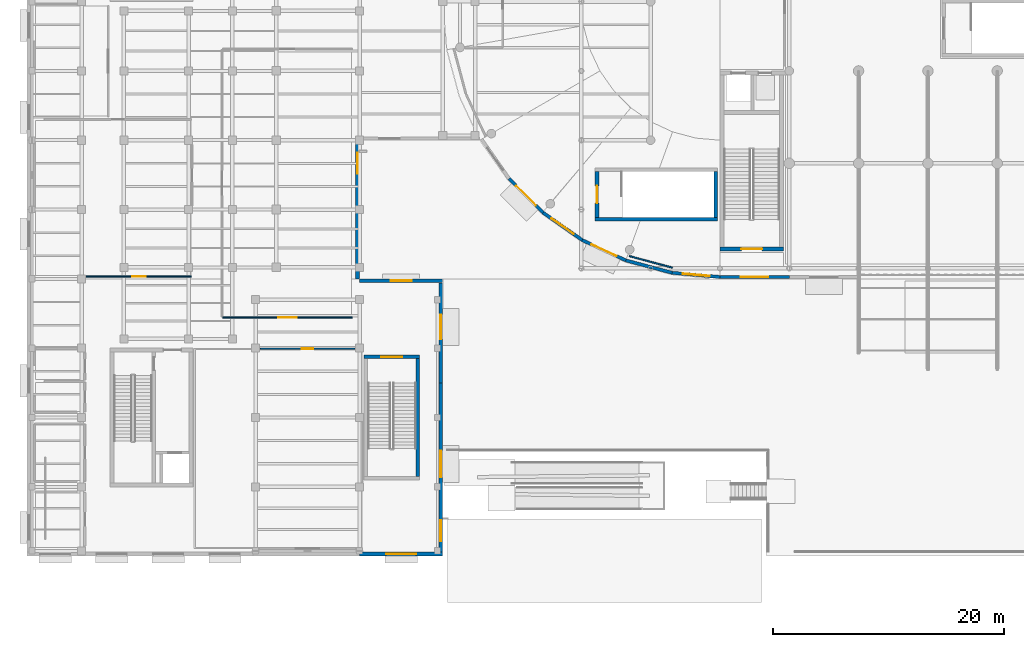
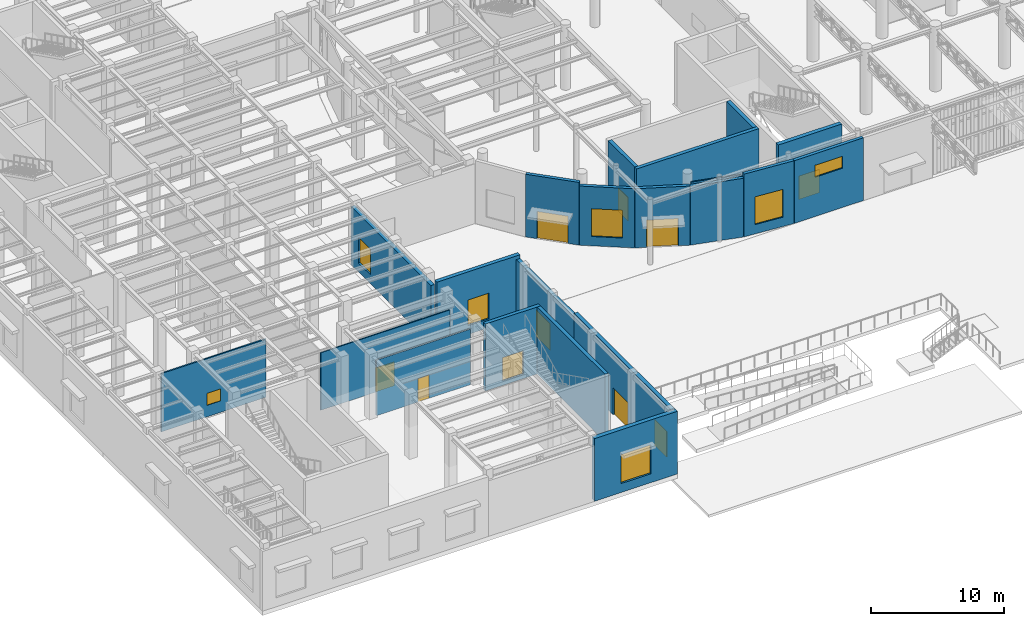
# One storey, part 87 of 118: 21 walls, 9 doors, 8 windows, 17 openings.
"""IFC4 building model written with IfcOpenShell, lengths in metres."""

from ifc_helpers import new_model, si_unit, direction, frame, frame_2d, origin, place, context, subcontext, project, spatial, rectangle, extrude, material, layer, layer_set, type_object, element, fill, save


model = new_model("IFC4")

# Units and contexts
model_context = context("Model", 3, precision=1e-05, world=origin(), true_north=direction((0.0, 1.0)))
body_context = subcontext(model_context, "Body", "Model", "MODEL_VIEW")
ifc_project = project(units=[si_unit("LENGTHUNIT", "METRE"), si_unit("AREAUNIT", "SQUARE_METRE"), si_unit("VOLUMEUNIT", "CUBIC_METRE"), si_unit("PLANEANGLEUNIT", "RADIAN"), si_unit("MASSUNIT", "GRAM", prefix="KILO")], contexts=[model_context])

# Site, building, storey
site_placement = place(None, origin())
site = spatial("IfcSite", under=ifc_project, at=site_placement, CompositionType="ELEMENT")
building_placement = place(site_placement, origin())
building = spatial("IfcBuilding", under=site, at=building_placement, Name="Kolvaren Corner Interchange", CompositionType="ELEMENT")
storey_placement = place(building_placement, origin())
storey = spatial("IfcBuildingStorey", under=building, at=storey_placement, Name="L01", CompositionType="ELEMENT", Elevation=0.0)

# Wall, opening, door
ifc_material_1 = material(Name="Concrete C35/45", Category="concrete")
ifc_layer_1 = layer(ifc_material_1, 0.35009765625)
ifc_layer_set_1 = layer_set([ifc_layer_1], Name="Concrete C35/45")
wall_type_1 = type_object("IfcWallType", Name="WL-CORE-350", PredefinedType="SHEAR", material=ifc_layer_set_1)
wall_1_placement = place(storey_placement, frame((60.0, 26.574951171875, 0.0), z_axis=(0.0, 0.0, 1.0), x_axis=(1.0, 0.0, 0.0)))
wall_1 = element("IfcWall", 1, at=wall_1_placement, inside=storey, type_object=wall_type_1, Name="Core C3 L01 South Shear Wall", PredefinedType="SHEAR", context=body_context, shape_type="SweptSolid", body=[
    extrude(rectangle(XDim=5.5, YDim=0.35009765625, at=frame_2d((2.75, 0.0))), origin(), (0.0, 0.0, 1.0), 5.75),
])
opening_1_placement = place(wall_1_placement, frame((1.85009765625, 0.0, 0.0)))
opening_1 = element("IfcOpeningElement", 2, at=opening_1_placement, cuts=wall_1, Name="Opening D-F01", PredefinedType="OPENING", context=body_context, shape_type="SweptSolid", body=[
    extrude(rectangle(XDim=1.800048828125, YDim=2.14990234375, at=frame_2d((0.89990234375, 1.074951171875))), frame((0.0, 0.18505859375, 0.0), z_axis=(0.0, -1.0, 0.0), x_axis=(1.0, 0.0, 0.0)), (0.0, 0.0, 1.0), 0.3701171875),
])
ifc_material_2 = material(Name="Powder-coated Fire-rated Steel Sheet", Category="steel")
door_type_1 = type_object("IfcDoorType", Name="DT-FD-1800x2150", OperationType="NOTDEFINED", PredefinedType="DOOR", material=ifc_material_2)
door_1_placement = place(opening_1_placement, origin())
door_1 = element("IfcDoor", 3, at=door_1_placement, inside=storey, type_object=door_type_1, Name="Core C3 West Concourse Transfer Stair L01 Protected Exit Door", OperationType="DOUBLE_DOOR_SINGLE_SWING", OverallHeight=2.14990234375, OverallWidth=1.800048828125, PredefinedType="DOOR", context=body_context, shape_type="SweptSolid", body=[
    extrude(rectangle(XDim=1.800048828125, YDim=2.14990234375, at=frame_2d((0.89990234375, 1.074951171875))), frame((0.0, 0.02490234375, 0.0), z_axis=(0.0, -1.0, 0.0), x_axis=(1.0, 0.0, 0.0)), (0.0, 0.0, 1.0), 0.050048828125),
])
fill(opening_1, door_1)

# Wall
ifc_material_3 = material(Name="Concrete C35/45", Category="concrete")
ifc_layer_2 = layer(ifc_material_3, 0.31005859375)
ifc_layer_set_2 = layer_set([ifc_layer_2], Name="Concrete C35/45")
wall_type_2 = type_object("IfcWallType", Name="WL-STAIR-300", PredefinedType="SHEAR", material=ifc_layer_set_2)
wall_2_placement = place(storey_placement, frame((49.199951171875, 29.155029296875, 0.0), z_axis=(0.0, 0.0, 1.0), x_axis=(1.0, 0.0, 0.0)))
element("IfcWall", 4, at=wall_2_placement, inside=storey, type_object=wall_type_2, Name="Metro West Plant and Gateline Exit Stair L01 South Enclosure Wall", PredefinedType="SHEAR", context=body_context, shape_type="SweptSolid", body=[
    extrude(rectangle(XDim=10.60009765625, YDim=0.31005859375, at=frame_2d((5.300048828125, 0.0))), origin(), (0.0, 0.0, 1.0), 5.75),
])

# Wall, opening, door
wall_3_placement = place(storey_placement, frame((49.35498046875, 29.31005859375, 0.0), z_axis=(0.0, 0.0, 1.0), x_axis=(0.0, 1.0, 0.0)))
wall_3 = element("IfcWall", 5, at=wall_3_placement, inside=storey, type_object=wall_type_2, Name="Metro West Plant and Gateline Exit Stair L01 West Enclosure Wall", PredefinedType="SHEAR", context=body_context, shape_type="SweptSolid", body=[
    extrude(rectangle(XDim=3.97998046875, YDim=0.31005859375, at=frame_2d((1.989990234375, 0.0))), origin(), (0.0, 0.0, 1.0), 5.75),
])
opening_2_placement = place(wall_3_placement, frame((1.239990234375, 0.0, 0.0)))
opening_2 = element("IfcOpeningElement", 6, at=opening_2_placement, cuts=wall_3, Name="Opening D-F02", PredefinedType="OPENING", context=body_context, shape_type="SweptSolid", body=[
    extrude(rectangle(XDim=1.5, YDim=2.14990234375, at=frame_2d((0.75, 1.074951171875))), frame((0.0, 0.1650390625, 0.0), z_axis=(0.0, -1.0, 0.0), x_axis=(1.0, 0.0, 0.0)), (0.0, 0.0, 1.0), 0.330078125),
])
ifc_material_4 = material(Name="Powder-coated Fire-rated Steel Sheet", Category="steel")
door_type_2 = type_object("IfcDoorType", Name="DT-FD-1500x2150", OperationType="NOTDEFINED", PredefinedType="DOOR", material=ifc_material_4)
door_2_placement = place(opening_2_placement, origin())
door_2 = element("IfcDoor", 7, at=door_2_placement, inside=storey, type_object=door_type_2, Name="Metro West Plant and Gateline Exit Stair L01 Protected Exit Door", OperationType="DOUBLE_DOOR_SINGLE_SWING", OverallHeight=2.14990234375, OverallWidth=1.5, PredefinedType="DOOR", context=body_context, shape_type="SweptSolid", body=[
    extrude(rectangle(XDim=1.5, YDim=2.14990234375, at=frame_2d((0.75, 1.074951171875))), frame((0.0, 0.02490234375, 0.0), z_axis=(0.0, -1.0, 0.0), x_axis=(1.0, 0.0, 0.0)), (0.0, 0.0, 1.0), 0.050048828125),
])
fill(opening_2, door_2)

# Wall
wall_4_placement = place(storey_placement, frame((59.64501953125, 29.31005859375, 0.0), z_axis=(0.0, 0.0, 1.0), x_axis=(0.0, 1.0, 0.0)))
element("IfcWall", 8, at=wall_4_placement, inside=storey, type_object=wall_type_2, Name="Metro West Plant and Gateline Exit Stair L01 East Enclosure Wall", PredefinedType="SHEAR", context=body_context, shape_type="SweptSolid", body=[
    extrude(rectangle(XDim=3.97998046875, YDim=0.31005859375, at=frame_2d((1.989990234375, 0.0))), origin(), (0.0, 0.0, 1.0), 5.75),
])

# Wall, opening, door
wall_5_placement = place(storey_placement, frame((29.199951171875, 17.2451171875, -0.39990234375), z_axis=(0.0, 0.0, 1.0), x_axis=(1.0, 0.0, 0.0)))
wall_5 = element("IfcWall", 9, at=wall_5_placement, inside=storey, type_object=wall_type_2, Name="Operations South Bar Protected Exit Stair L01 North Enclosure Wall", PredefinedType="SHEAR", context=body_context, shape_type="SweptSolid", body=[
    extrude(rectangle(XDim=4.800048828125, YDim=0.31005859375, at=frame_2d((2.39990234375, 0.0))), origin(), (0.0, 0.0, 1.0), 6.14990234375),
])
opening_3_placement = place(wall_5_placement, frame((1.5, 0.0, 0.39990234375)))
opening_3 = element("IfcOpeningElement", 10, at=opening_3_placement, cuts=wall_5, Name="Opening D-F01", PredefinedType="OPENING", context=body_context, shape_type="SweptSolid", body=[
    extrude(rectangle(XDim=1.800048828125, YDim=2.14990234375, at=frame_2d((0.89990234375, 1.074951171875))), frame((0.0, 0.1650390625, 0.0), z_axis=(0.0, -1.0, 0.0), x_axis=(1.0, 0.0, 0.0)), (0.0, 0.0, 1.0), 0.330078125),
])
door_3_placement = place(opening_3_placement, origin())
door_3 = element("IfcDoor", 11, at=door_3_placement, inside=storey, type_object=door_type_1, Name="Operations South Bar Protected Exit Stair L01 Protected Exit Door", OperationType="DOUBLE_DOOR_SINGLE_SWING", OverallHeight=2.14990234375, OverallWidth=1.800048828125, PredefinedType="DOOR", context=body_context, shape_type="SweptSolid", body=[
    extrude(rectangle(XDim=1.800048828125, YDim=2.14990234375, at=frame_2d((0.89990234375, 1.074951171875))), frame((0.0, 0.02490234375, 0.0), z_axis=(0.0, -1.0, 0.0), x_axis=(1.0, 0.0, 0.0)), (0.0, 0.0, 1.0), 0.050048828125),
])
fill(opening_3, door_3)

# Wall
wall_6_placement = place(storey_placement, frame((33.844970703125, 6.909912109375, -0.39990234375), z_axis=(0.0, 0.0, 1.0), x_axis=(0.0, 1.0, 0.0)))
element("IfcWall", 12, at=wall_6_placement, inside=storey, type_object=wall_type_2, Name="Operations South Bar Protected Exit Stair L01 East Enclosure Wall", PredefinedType="SHEAR", context=body_context, shape_type="SweptSolid", body=[
    extrude(rectangle(XDim=10.18017578125, YDim=0.31005859375, at=frame_2d((5.090087890625, 0.0))), origin(), (0.0, 0.0, 1.0), 6.14990234375),
])

# Wall, opening, window
ifc_material_5 = material(Name="Heavy Acoustic Terracotta Masonry Facade Assembly", Category="masonry")
ifc_layer_3 = layer(ifc_material_5, 0.3701171875)
ifc_layer_set_3 = layer_set([ifc_layer_3], Name="Heavy Acoustic Terracotta Masonry Facade Assembly")
wall_type_3 = type_object("IfcWallType", Name="WT-EXT-CRM340", PredefinedType="SOLIDWALL", material=ifc_layer_set_3)
wall_7_placement = place(storey_placement, frame((28.800048828125, 0.179931640625, 0.0), z_axis=(0.0, 0.0, 1.0), x_axis=(1.0, 0.0, 0.0)))
wall_7 = element("IfcWall", 13, at=wall_7_placement, inside=storey, type_object=wall_type_3, Name="Operations Boulevard South Facade Wall 0003", PredefinedType="SOLIDWALL", context=body_context, shape_type="SweptSolid", body=[
    extrude(rectangle(XDim=7.199951171875, YDim=0.3701171875, at=frame_2d((3.60009765625, 0.0))), origin(), (0.0, 0.0, 1.0), 5.75),
])
opening_4_placement = place(wall_7_placement, frame((2.300048828125, 0.0, 0.820068359375)))
opening_4 = element("IfcOpeningElement", 14, at=opening_4_placement, cuts=wall_7, Name="Opening W-12", PredefinedType="OPENING", context=body_context, shape_type="SweptSolid", body=[
    extrude(rectangle(XDim=2.60009765625, YDim=2.64990234375, at=frame_2d((1.300048828125, 1.324951171875))), frame((0.0, 0.195068359375, 0.0), z_axis=(0.0, -1.0, 0.0), x_axis=(1.0, 0.0, 0.0)), (0.0, 0.0, 1.0), 0.39013671875),
])
ifc_material_6 = material(Name="Thermally Broken Aluminium and Solar-Control Double Glazing", Category="aluminium")
window_type_1 = type_object("IfcWindowType", Name="WT-CHI-2600x2700", PartitioningType="TRIPLE_PANEL_HORIZONTAL", PredefinedType="WINDOW", material=ifc_material_6)
window_1_placement = place(opening_4_placement, origin())
window_1 = element("IfcWindow", 15, at=window_1_placement, inside=storey, type_object=window_type_1, Name="L01 Operations Boulevard South Facade Window 0005", OverallHeight=2.64990234375, OverallWidth=2.60009765625, PartitioningType="SINGLE_PANEL", PredefinedType="WINDOW", context=body_context, shape_type="SweptSolid", body=[
    extrude(rectangle(XDim=2.60009765625, YDim=2.64990234375, at=frame_2d((1.300048828125, 1.324951171875))), frame((0.0, 0.030029296875, 0.0), z_axis=(0.0, -1.0, 0.0), x_axis=(1.0, 0.0, 0.0)), (0.0, 0.0, 1.0), 0.06005859375),
])
fill(opening_4, window_1)

# Wall, openings, door, window
ifc_material_7 = material(Name="Cream Architectural Terracotta Rainscreen Assembly", Category="masonry")
ifc_layer_4 = layer(ifc_material_7, 0.330078125)
ifc_layer_set_4 = layer_set([ifc_layer_4], Name="Cream Architectural Terracotta Rainscreen Assembly")
wall_type_4 = type_object("IfcWallType", Name="WT-EXT-TC320", PredefinedType="SOLIDWALL", material=ifc_layer_set_4)
wall_8_placement = place(storey_placement, frame((35.830078125, 0.364990234375, 0.0), z_axis=(0.0, 0.0, 1.0), x_axis=(0.0, 1.0, 0.0)))
wall_8 = element("IfcWall", 16, at=wall_8_placement, inside=storey, type_object=wall_type_4, Name="Operations Forecourt East Facade Wall 0004", PredefinedType="SOLIDWALL", context=body_context, shape_type="SweptSolid", body=[
    extrude(rectangle(XDim=14.635009765625, YDim=0.330078125, at=frame_2d((7.3173828125, 0.0))), origin(), (0.0, 0.0, 1.0), 5.75),
])
opening_5_placement = place(wall_8_placement, frame((6.460205078125, 0.0, 0.0)))
opening_5 = element("IfcOpeningElement", 17, at=opening_5_placement, cuts=wall_8, Name="Opening D-E11", PredefinedType="OPENING", context=body_context, shape_type="SweptSolid", body=[
    extrude(rectangle(XDim=2.300048828125, YDim=2.47998046875, at=frame_2d((1.14990234375, 1.239990234375))), frame((0.0, 0.175048828125, 0.0), z_axis=(0.0, -1.0, 0.0), x_axis=(1.0, 0.0, 0.0)), (0.0, 0.0, 1.0), 0.35009765625),
])
opening_6_placement = place(wall_8_placement, frame((0.929443359375, 0.0, 0.820068359375)))
opening_6 = element("IfcOpeningElement", 18, at=opening_6_placement, cuts=wall_8, Name="Opening W-03", PredefinedType="OPENING", context=body_context, shape_type="SweptSolid", body=[
    extrude(rectangle(XDim=1.800048828125, YDim=2.35009765625, at=frame_2d((0.89990234375, 1.175048828125))), frame((0.0, 0.175048828125, 0.0), z_axis=(0.0, -1.0, 0.0), x_axis=(1.0, 0.0, 0.0)), (0.0, 0.0, 1.0), 0.35009765625),
])
ifc_material_8 = material(Name="Anodised Aluminium and Laminated Safety Glass", Category="aluminium")
door_type_3 = type_object("IfcDoorType", Name="DT-EXT-DBL2300", OperationType="NOTDEFINED", PredefinedType="DOOR", material=ifc_material_8)
door_4_placement = place(opening_5_placement, origin())
door_4 = element("IfcDoor", 19, at=door_4_placement, inside=storey, type_object=door_type_3, Name="L01 Forecourt Passenger Service Entrance Door 001", OperationType="DOUBLE_DOOR_SINGLE_SWING", OverallHeight=2.47998046875, OverallWidth=2.300048828125, PredefinedType="DOOR", context=body_context, shape_type="SweptSolid", body=[
    extrude(rectangle(XDim=2.300048828125, YDim=2.47998046875, at=frame_2d((1.14990234375, 1.239990234375))), frame((0.0, 0.02490234375, 0.0), z_axis=(0.0, -1.0, 0.0), x_axis=(1.0, 0.0, 0.0)), (0.0, 0.0, 1.0), 0.050048828125),
])
fill(opening_5, door_4)
ifc_material_9 = material(Name="Thermally Broken Aluminium and Solar-Control Double Glazing", Category="aluminium")
window_type_2 = type_object("IfcWindowType", Name="WT-CHI-1800x2400", PartitioningType="DOUBLE_PANEL_VERTICAL", PredefinedType="WINDOW", material=ifc_material_9)
window_2_placement = place(opening_6_placement, origin())
window_2 = element("IfcWindow", 20, at=window_2_placement, inside=storey, type_object=window_type_2, Name="L01 Operations Forecourt East Facade Window 0006", OverallHeight=2.35009765625, OverallWidth=1.800048828125, PartitioningType="SINGLE_PANEL", PredefinedType="WINDOW", context=body_context, shape_type="SweptSolid", body=[
    extrude(rectangle(XDim=1.800048828125, YDim=2.35009765625, at=frame_2d((0.89990234375, 1.175048828125))), frame((0.0, 0.030029296875, 0.0), z_axis=(0.0, -1.0, 0.0), x_axis=(1.0, 0.0, 0.0)), (0.0, 0.0, 1.0), 0.06005859375),
])
fill(opening_6, window_2)

# Wall, opening, door
wall_9_placement = place(storey_placement, frame((35.830078125, 15.0, 0.0), z_axis=(0.0, 0.0, 1.0), x_axis=(0.0, 1.0, 0.0)))
wall_9 = element("IfcWall", 21, at=wall_9_placement, inside=storey, type_object=wall_type_4, Name="Operations Forecourt East Facade Wall 0005", PredefinedType="SOLIDWALL", context=body_context, shape_type="SweptSolid", body=[
    extrude(rectangle(XDim=8.64990234375, YDim=0.330078125, at=frame_2d((4.324951171875, 0.0))), origin(), (0.0, 0.0, 1.0), 5.425048828125),
])
opening_7_placement = place(wall_9_placement, frame((3.7939453125, 0.0, 0.0)))
opening_7 = element("IfcOpeningElement", 22, at=opening_7_placement, cuts=wall_9, Name="Opening D-E12", PredefinedType="OPENING", context=body_context, shape_type="SweptSolid", body=[
    extrude(rectangle(XDim=2.10009765625, YDim=2.419921875, at=frame_2d((1.050048828125, 1.2099609375))), frame((0.0, 0.175048828125, 0.0), z_axis=(0.0, -1.0, 0.0), x_axis=(1.0, 0.0, 0.0)), (0.0, 0.0, 1.0), 0.35009765625),
])
ifc_material_10 = material(Name="Anodised Aluminium and Laminated Safety Glass", Category="aluminium")
door_type_4 = type_object("IfcDoorType", Name="DT-EXT-DBL2100", OperationType="NOTDEFINED", PredefinedType="DOOR", material=ifc_material_10)
door_5_placement = place(opening_7_placement, origin())
door_5 = element("IfcDoor", 23, at=door_5_placement, inside=storey, type_object=door_type_4, Name="L01 Operations South Corridor Plinth Exit Door 002", OperationType="DOUBLE_DOOR_SINGLE_SWING", OverallHeight=2.419921875, OverallWidth=2.10009765625, PredefinedType="DOOR", context=body_context, shape_type="SweptSolid", body=[
    extrude(rectangle(XDim=2.10009765625, YDim=2.419921875, at=frame_2d((1.050048828125, 1.2099609375))), frame((0.0, 0.02490234375, 0.0), z_axis=(0.0, -1.0, 0.0), x_axis=(1.0, 0.0, 0.0)), (0.0, 0.0, 1.0), 0.050048828125),
])
fill(opening_7, door_5)

# Wall, opening, window
wall_10_placement = place(storey_placement, frame((36.0, 23.830078125, 0.0), z_axis=(0.0, 0.0, 1.0), x_axis=(-1.0, 0.0, 0.0)))
wall_10 = element("IfcWall", 24, at=wall_10_placement, inside=storey, type_object=wall_type_4, Name="Operations Inner Courtyard South Return Wall 0006", PredefinedType="SOLIDWALL", context=body_context, shape_type="SweptSolid", body=[
    extrude(rectangle(XDim=7.199951171875, YDim=0.330078125, at=frame_2d((3.60009765625, 0.0))), origin(), (0.0, 0.0, 1.0), 5.75),
])
opening_8_placement = place(wall_10_placement, frame((2.699951171875, 0.0, 0.820068359375)))
opening_8 = element("IfcOpeningElement", 25, at=opening_8_placement, cuts=wall_10, Name="Opening W-03", PredefinedType="OPENING", context=body_context, shape_type="SweptSolid", body=[
    extrude(rectangle(XDim=1.800048828125, YDim=2.35009765625, at=frame_2d((0.89990234375, 1.175048828125))), frame((0.0, 0.175048828125, 0.0), z_axis=(0.0, -1.0, 0.0), x_axis=(1.0, 0.0, 0.0)), (0.0, 0.0, 1.0), 0.35009765625),
])
window_3_placement = place(opening_8_placement, origin())
window_3 = element("IfcWindow", 26, at=window_3_placement, inside=storey, type_object=window_type_2, Name="L01 Operations Inner Courtyard South Return Window 0007", OverallHeight=2.35009765625, OverallWidth=1.800048828125, PartitioningType="SINGLE_PANEL", PredefinedType="WINDOW", context=body_context, shape_type="SweptSolid", body=[
    extrude(rectangle(XDim=1.800048828125, YDim=2.35009765625, at=frame_2d((0.89990234375, 1.175048828125))), frame((0.0, 0.030029296875, 0.0), z_axis=(0.0, -1.0, 0.0), x_axis=(1.0, 0.0, 0.0)), (0.0, 0.0, 1.0), 0.06005859375),
])
fill(opening_8, window_3)

wall_11_placement = place(storey_placement, frame((28.6298828125, 24.0, 0.0), z_axis=(0.0, 0.0, 1.0), x_axis=(0.0, 1.0, 0.0)))
wall_11 = element("IfcWall", 27, at=wall_11_placement, inside=storey, type_object=wall_type_4, Name="Operations Courtyard Lower East Facade Wall 0007", PredefinedType="SOLIDWALL", context=body_context, shape_type="SweptSolid", body=[
    extrude(rectangle(XDim=12.0, YDim=0.330078125, at=frame_2d((6.0, 0.0))), origin(), (0.0, 0.0, 1.0), 5.344970703125),
])
opening_9_placement = place(wall_11_placement, frame((9.10009765625, 0.0, 0.820068359375)))
opening_9 = element("IfcOpeningElement", 28, at=opening_9_placement, cuts=wall_11, Name="Opening W-03", PredefinedType="OPENING", context=body_context, shape_type="SweptSolid", body=[
    extrude(rectangle(XDim=1.800048828125, YDim=2.35009765625, at=frame_2d((0.89990234375, 1.175048828125))), frame((0.0, 0.175048828125, 0.0), z_axis=(0.0, -1.0, 0.0), x_axis=(1.0, 0.0, 0.0)), (0.0, 0.0, 1.0), 0.35009765625),
])
window_4_placement = place(opening_9_placement, origin())
window_4 = element("IfcWindow", 29, at=window_4_placement, inside=storey, type_object=window_type_2, Name="L01 Operations Courtyard Lower East Facade Window 0008", OverallHeight=2.35009765625, OverallWidth=1.800048828125, PartitioningType="SINGLE_PANEL", PredefinedType="WINDOW", context=body_context, shape_type="SweptSolid", body=[
    extrude(rectangle(XDim=1.800048828125, YDim=2.35009765625, at=frame_2d((0.89990234375, 1.175048828125))), frame((0.0, 0.030029296875, 0.0), z_axis=(0.0, -1.0, 0.0), x_axis=(1.0, 0.0, 0.0)), (0.0, 0.0, 1.0), 0.06005859375),
])
fill(opening_9, window_4)

# Wall, opening, door
ifc_material_11 = material(Name="White Glazed Ceramic Terracotta Band Assembly", Category="masonry")
ifc_layer_5 = layer(ifc_material_11, 0.280029296875)
ifc_layer_set_5 = layer_set([ifc_layer_5], Name="White Glazed Ceramic Terracotta Band Assembly")
wall_type_5 = type_object("IfcWallType", Name="WT-EXT-WHT280", PredefinedType="SOLIDWALL", material=ifc_layer_set_5)
wall_12_placement = place(storey_placement, frame((41.737548828125, 32.67578125, 0.0), z_axis=(0.0, 0.0, 1.0), x_axis=(0.707106781187, -0.707106781187, 0.0)))
wall_12 = element("IfcWall", 30, at=wall_12_placement, inside=storey, type_object=wall_type_5, Name="Racetrack West Curved Drum Chord 14 Wall 0072", PredefinedType="SOLIDWALL", context=body_context, shape_type="SweptSolid", body=[
    extrude(rectangle(XDim=4.1552734375, YDim=0.280029296875, at=frame_2d((2.07763671875, 0.0))), origin(), (0.0, 0.0, 1.0), 5.75),
])
opening_10_placement = place(wall_12_placement, frame((0.877685546875, 0.0, 0.0)))
opening_10 = element("IfcOpeningElement", 31, at=opening_10_placement, cuts=wall_12, Name="Opening D-E01", PredefinedType="OPENING", context=body_context, shape_type="SweptSolid", body=[
    extrude(rectangle(XDim=2.39990234375, YDim=2.5, at=frame_2d((1.199951171875, 1.25))), frame((0.0, 0.14990234375, 0.0), z_axis=(0.0, -1.0, 0.0), x_axis=(1.0, 0.0, 0.0)), (0.0, 0.0, 1.0), 0.300048828125),
])
ifc_material_12 = material(Name="Anodised Aluminium and Laminated Safety Glass", Category="aluminium")
door_type_5 = type_object("IfcDoorType", Name="DT-EXT-DBL2400", OperationType="NOTDEFINED", PredefinedType="DOOR", material=ifc_material_12)
door_6_placement = place(opening_10_placement, origin())
door_6 = element("IfcDoor", 32, at=door_6_placement, inside=storey, type_object=door_type_5, Name="L01 West Racetrack Plinth Concourse Exit Door 012", OperationType="DOUBLE_DOOR_SINGLE_SWING", OverallHeight=2.5, OverallWidth=2.39990234375, PredefinedType="DOOR", context=body_context, shape_type="SweptSolid", body=[
    extrude(rectangle(XDim=2.39990234375, YDim=2.5, at=frame_2d((1.199951171875, 1.25))), frame((0.0, 0.02490234375, 0.0), z_axis=(0.0, -1.0, 0.0), x_axis=(1.0, 0.0, 0.0)), (0.0, 0.0, 1.0), 0.050048828125),
])
fill(opening_10, door_6)

# Wall, opening, window
wall_13_placement = place(storey_placement, frame((44.67578125, 29.737548828125, 0.0), z_axis=(0.0, 0.0, 1.0), x_axis=(0.819171197327, -0.573549082007, 0.0)))
wall_13 = element("IfcWall", 33, at=wall_13_placement, inside=storey, type_object=wall_type_5, Name="Racetrack West Curved Drum Chord 15 Wall 0073", PredefinedType="SOLIDWALL", context=body_context, shape_type="SweptSolid", body=[
    extrude(rectangle(XDim=4.15576171875, YDim=0.280029296875, at=frame_2d((2.077880859375, 0.0))), origin(), (0.0, 0.0, 1.0), 5.425048828125),
])
opening_11_placement = place(wall_13_placement, frame((0.90283203125, 0.0, 0.85009765625)))
opening_11 = element("IfcOpeningElement", 34, at=opening_11_placement, cuts=wall_13, Name="Opening W-15", PredefinedType="OPENING", context=body_context, shape_type="SweptSolid", body=[
    extrude(rectangle(XDim=2.35009765625, YDim=2.550048828125, at=frame_2d((1.175048828125, 1.27490234375))), frame((0.0, 0.14990234375, 0.0), z_axis=(0.0, -1.0, 0.0), x_axis=(1.0, 0.0, 0.0)), (0.0, 0.0, 1.0), 0.300048828125),
])
ifc_material_13 = material(Name="Thermally Broken Aluminium and Solar-Control Double Glazing", Category="aluminium")
window_type_3 = type_object("IfcWindowType", Name="WT-ARC-2350x2550", PartitioningType="TRIPLE_PANEL_HORIZONTAL", PredefinedType="WINDOW", material=ifc_material_13)
window_5_placement = place(opening_11_placement, origin())
window_5 = element("IfcWindow", 35, at=window_5_placement, inside=storey, type_object=window_type_3, Name="L01 Racetrack West Curved Drum Chord 15 Window 0153", OverallHeight=2.550048828125, OverallWidth=2.35009765625, PartitioningType="SINGLE_PANEL", PredefinedType="WINDOW", context=body_context, shape_type="SweptSolid", body=[
    extrude(rectangle(XDim=2.35009765625, YDim=2.550048828125, at=frame_2d((1.175048828125, 1.27490234375))), frame((0.0, 0.030029296875, 0.0), z_axis=(0.0, -1.0, 0.0), x_axis=(1.0, 0.0, 0.0)), (0.0, 0.0, 1.0), 0.06005859375),
])
fill(opening_11, window_5)

# Wall, opening, door
wall_14_placement = place(storey_placement, frame((48.080078125, 27.35400390625, 0.0), z_axis=(0.0, 0.0, 1.0), x_axis=(0.906291177731, -0.422653878685, 0.0)))
wall_14 = element("IfcWall", 36, at=wall_14_placement, inside=storey, type_object=wall_type_5, Name="Racetrack West Curved Drum Chord 16 Wall 0074", PredefinedType="SOLIDWALL", context=body_context, shape_type="SweptSolid", body=[
    extrude(rectangle(XDim=4.155517578125, YDim=0.280029296875, at=frame_2d((2.07763671875, 0.0))), origin(), (0.0, 0.0, 1.0), 5.425048828125),
])
opening_12_placement = place(wall_14_placement, frame((0.877685546875, 0.0, 0.0)))
opening_12 = element("IfcOpeningElement", 37, at=opening_12_placement, cuts=wall_14, Name="Opening D-E01", PredefinedType="OPENING", context=body_context, shape_type="SweptSolid", body=[
    extrude(rectangle(XDim=2.39990234375, YDim=2.5, at=frame_2d((1.199951171875, 1.25))), frame((0.0, 0.14990234375, 0.0), z_axis=(0.0, -1.0, 0.0), x_axis=(1.0, 0.0, 0.0)), (0.0, 0.0, 1.0), 0.300048828125),
])
door_7_placement = place(opening_12_placement, origin())
door_7 = element("IfcDoor", 38, at=door_7_placement, inside=storey, type_object=door_type_5, Name="L01 West Racetrack Plinth Concourse Exit Door 013", OperationType="DOUBLE_DOOR_SINGLE_SWING", OverallHeight=2.5, OverallWidth=2.39990234375, PredefinedType="DOOR", context=body_context, shape_type="SweptSolid", body=[
    extrude(rectangle(XDim=2.39990234375, YDim=2.5, at=frame_2d((1.199951171875, 1.25))), frame((0.0, 0.02490234375, 0.0), z_axis=(0.0, -1.0, 0.0), x_axis=(1.0, 0.0, 0.0)), (0.0, 0.0, 1.0), 0.050048828125),
])
fill(opening_12, door_7)

# Wall
wall_15_placement = place(storey_placement, frame((51.84619140625, 25.59765625, 0.0), z_axis=(0.0, 0.0, 1.0), x_axis=(0.965931006096, -0.258799713026, 0.0)))
element("IfcWall", 39, at=wall_15_placement, inside=storey, type_object=wall_type_5, Name="Racetrack West Curved Drum Chord 17 Wall 0075", PredefinedType="SOLIDWALL", context=body_context, shape_type="SweptSolid", body=[
    extrude(rectangle(XDim=4.155517578125, YDim=0.280029296875, at=frame_2d((2.07763671875, 0.0))), origin(), (0.0, 0.0, 1.0), 5.385009765625),
])

# Wall, opening, window
wall_16_placement = place(storey_placement, frame((55.860107421875, 24.522216796875, 0.0), z_axis=(0.0, 0.0, 1.0), x_axis=(0.99619237826, -0.087182254487, 0.0)))
wall_16 = element("IfcWall", 40, at=wall_16_placement, inside=storey, type_object=wall_type_5, Name="Racetrack West Curved Drum Chord 18 Wall 0076", PredefinedType="SOLIDWALL", context=body_context, shape_type="SweptSolid", body=[
    extrude(rectangle(XDim=4.15576171875, YDim=0.280029296875, at=frame_2d((2.077880859375, 0.0))), origin(), (0.0, 0.0, 1.0), 5.75),
])
opening_13_placement = place(wall_16_placement, frame((0.90283203125, 0.0, 0.85009765625)))
opening_13 = element("IfcOpeningElement", 41, at=opening_13_placement, cuts=wall_16, Name="Opening W-15", PredefinedType="OPENING", context=body_context, shape_type="SweptSolid", body=[
    extrude(rectangle(XDim=2.35009765625, YDim=2.550048828125, at=frame_2d((1.175048828125, 1.27490234375))), frame((0.0, 0.14990234375, 0.0), z_axis=(0.0, -1.0, 0.0), x_axis=(1.0, 0.0, 0.0)), (0.0, 0.0, 1.0), 0.300048828125),
])
window_6_placement = place(opening_13_placement, origin())
window_6 = element("IfcWindow", 42, at=window_6_placement, inside=storey, type_object=window_type_3, Name="L01 Racetrack West Curved Drum Chord 18 Window 0154", OverallHeight=2.550048828125, OverallWidth=2.35009765625, PartitioningType="SINGLE_PANEL", PredefinedType="WINDOW", context=body_context, shape_type="SweptSolid", body=[
    extrude(rectangle(XDim=2.35009765625, YDim=2.550048828125, at=frame_2d((1.175048828125, 1.27490234375))), frame((0.0, 0.030029296875, 0.0), z_axis=(0.0, -1.0, 0.0), x_axis=(1.0, 0.0, 0.0)), (0.0, 0.0, 1.0), 0.06005859375),
])
fill(opening_13, window_6)

wall_17_placement = place(storey_placement, frame((60.0, 24.159912109375, 0.0), z_axis=(0.0, 0.0, 1.0), x_axis=(1.0, 0.0, 0.0)))
wall_17 = element("IfcWall", 43, at=wall_17_placement, inside=storey, type_object=wall_type_5, Name="South West Concourse Wall 0149", PredefinedType="SOLIDWALL", context=body_context, shape_type="SweptSolid", body=[
    extrude(rectangle(XDim=6.0, YDim=0.280029296875, at=frame_2d((3.0, 0.0))), origin(), (0.0, 0.0, 1.0), 5.75),
])
opening_14_placement = place(wall_17_placement, frame((1.800048828125, 0.0, 3.60009765625)))
opening_14 = element("IfcOpeningElement", 44, at=opening_14_placement, cuts=wall_17, Name="Opening W-17", PredefinedType="OPENING", context=body_context, shape_type="SweptSolid", body=[
    extrude(rectangle(XDim=2.39990234375, YDim=1.10009765625, at=frame_2d((1.199951171875, 0.550048828125))), frame((0.0, 0.14990234375, 0.0), z_axis=(0.0, -1.0, 0.0), x_axis=(1.0, 0.0, 0.0)), (0.0, 0.0, 1.0), 0.300048828125),
])
ifc_material_14 = material(Name="Thermally Broken Aluminium and Solar-Control Double Glazing", Category="aluminium")
window_type_4 = type_object("IfcWindowType", Name="WT-CLER-2400x1100", PartitioningType="DOUBLE_PANEL_HORIZONTAL", PredefinedType="WINDOW", material=ifc_material_14)
window_7_placement = place(opening_14_placement, origin())
window_7 = element("IfcWindow", 45, at=window_7_placement, inside=storey, type_object=window_type_4, Name="L01 South West Concourse Window 0212", OverallHeight=1.10009765625, OverallWidth=2.39990234375, PartitioningType="SINGLE_PANEL", PredefinedType="WINDOW", context=body_context, shape_type="SweptSolid", body=[
    extrude(rectangle(XDim=2.39990234375, YDim=1.10009765625, at=frame_2d((1.199951171875, 0.550048828125))), frame((0.0, 0.030029296875, 0.0), z_axis=(0.0, -1.0, 0.0), x_axis=(1.0, 0.0, 0.0)), (0.0, 0.0, 1.0), 0.06005859375),
])
fill(opening_14, window_7)

# Wall, opening, door
ifc_material_15 = material(Name="Framed Acoustic Glazed Office Screen")
ifc_layer_6 = layer(ifc_material_15, 0.10009765625)
ifc_layer_set_6 = layer_set([ifc_layer_6], Name="Framed Acoustic Glazed Office Screen")
wall_type_6 = type_object("IfcWallType", Name="WT-PART-GL100", PredefinedType="MOVABLE", material=ifc_layer_set_6)
wall_18_placement = place(storey_placement, frame((16.949951171875, 20.64990234375, 0.0), z_axis=(0.0, 0.0, 1.0), x_axis=(1.0, 0.0, 0.0)))
wall_18 = element("IfcWall", 46, at=wall_18_placement, inside=storey, type_object=wall_type_6, Name="L01 Corner Station Cafe Partition Wall 053", PredefinedType="MOVABLE", context=body_context, shape_type="SweptSolid", body=[
    extrude(rectangle(XDim=11.199951171875, YDim=0.10009765625, at=frame_2d((5.60009765625, 0.0))), origin(), (0.0, 0.0, 1.0), 5.284912109375),
])
opening_15_placement = place(wall_18_placement, frame((4.800048828125, 0.0, 0.0)))
opening_15 = element("IfcOpeningElement", 47, at=opening_15_placement, cuts=wall_18, Name="Opening D-I01", PredefinedType="OPENING", context=body_context, shape_type="SweptSolid", body=[
    extrude(rectangle(XDim=1.60009765625, YDim=2.199951171875, at=frame_2d((0.800048828125, 1.10009765625))), frame((0.0, 0.06005859375, 0.0), z_axis=(0.0, -1.0, 0.0), x_axis=(1.0, 0.0, 0.0)), (0.0, 0.0, 1.0), 0.1201171875),
])
ifc_material_16 = material(Name="Anodised Aluminium Acoustic Double Door", Category="aluminium")
door_type_6 = type_object("IfcDoorType", Name="DT-INT-1600x2200", OperationType="NOTDEFINED", PredefinedType="DOOR", material=ifc_material_16)
door_8_placement = place(opening_15_placement, origin())
door_8 = element("IfcDoor", 48, at=door_8_placement, inside=storey, type_object=door_type_6, Name="L01 Corner Station Cafe Door", OperationType="DOUBLE_DOOR_SINGLE_SWING", OverallHeight=2.199951171875, OverallWidth=1.60009765625, PredefinedType="DOOR", context=body_context, shape_type="SweptSolid", body=[
    extrude(rectangle(XDim=1.60009765625, YDim=2.199951171875, at=frame_2d((0.800048828125, 1.10009765625))), frame((0.0, 0.02490234375, 0.0), z_axis=(0.0, -1.0, 0.0), x_axis=(1.0, 0.0, 0.0)), (0.0, 0.0, 1.0), 0.050048828125),
])
fill(opening_15, door_8)

# Wall
ifc_material_17 = material(Name="Standard Metal-Stud Drywall Partition")
ifc_layer_7 = layer(ifc_material_17, 0.1201171875)
ifc_layer_set_7 = layer_set([ifc_layer_7], Name="Standard Metal-Stud Drywall Partition")
wall_type_7 = type_object("IfcWallType", Name="WT-PART-ST125", PredefinedType="PARTITIONING", material=ifc_layer_set_7)
wall_19_placement = place(storey_placement, frame((52.156494140625, 25.968505859375, 0.0), z_axis=(0.0, 0.0, 1.0), x_axis=(0.965919560425, -0.258842428492, 0.0)))
element("IfcWall", 49, at=wall_19_placement, inside=storey, type_object=wall_type_7, Name="L01 Ticket Hall and Metro Gateline Partition Wall 034", PredefinedType="PARTITIONING", context=body_context, shape_type="SweptSolid", body=[
    extrude(rectangle(XDim=3.86328125, YDim=0.1201171875, at=frame_2d((1.931640625, 0.0))), origin(), (0.0, 0.0, 1.0), 5.385009765625),
])

# Wall, opening, door
wall_20_placement = place(storey_placement, frame((28.389892578125, 17.949951171875, 0.0), z_axis=(0.0, 0.0, 1.0), x_axis=(-1.0, 0.0, 0.0)))
wall_20 = element("IfcWall", 50, at=wall_20_placement, inside=storey, type_object=wall_type_7, Name="L01 Passenger Service Centre Partition Wall 052", PredefinedType="PARTITIONING", context=body_context, shape_type="SweptSolid", body=[
    extrude(rectangle(XDim=8.179931640625, YDim=0.1201171875, at=frame_2d((4.08984375, 0.0))), origin(), (0.0, 0.0, 1.0), 5.094970703125),
])
opening_16_placement = place(wall_20_placement, frame((3.60009765625, 0.0, 0.0)))
opening_16 = element("IfcOpeningElement", 51, at=opening_16_placement, cuts=wall_20, Name="Opening D-I03", PredefinedType="OPENING", context=body_context, shape_type="SweptSolid", body=[
    extrude(rectangle(XDim=0.97998046875, YDim=2.14990234375, at=frame_2d((0.489990234375, 1.074951171875))), frame((0.0, 0.070068359375, 0.0), z_axis=(0.0, -1.0, 0.0), x_axis=(1.0, 0.0, 0.0)), (0.0, 0.0, 1.0), 0.14013671875),
])
ifc_material_18 = material(Name="Solid-Core Iroko Timber Door", Category="wood")
door_type_7 = type_object("IfcDoorType", Name="DT-INT-980x2150", OperationType="NOTDEFINED", PredefinedType="DOOR", material=ifc_material_18)
door_9_placement = place(opening_16_placement, origin())
door_9 = element("IfcDoor", 52, at=door_9_placement, inside=storey, type_object=door_type_7, Name="L01 Passenger Service Centre Door", OperationType="SINGLE_SWING_LEFT", OverallHeight=2.14990234375, OverallWidth=0.97998046875, PredefinedType="DOOR", context=body_context, shape_type="SweptSolid", body=[
    extrude(rectangle(XDim=0.97998046875, YDim=2.14990234375, at=frame_2d((0.489990234375, 1.074951171875))), frame((0.0, 0.02490234375, 0.0), z_axis=(0.0, -1.0, 0.0), x_axis=(1.0, 0.0, 0.0)), (0.0, 0.0, 1.0), 0.050048828125),
])
fill(opening_16, door_9)

# Wall, opening, window
wall_21_placement = place(storey_placement, frame((5.159912109375, 24.199951171875, 0.0), z_axis=(0.0, 0.0, 1.0), x_axis=(1.0, 0.0, 0.0)))
wall_21 = element("IfcWall", 53, at=wall_21_placement, inside=storey, type_object=wall_type_7, Name="L01 Transit Convenience Shop Partition Wall 056", PredefinedType="PARTITIONING", context=body_context, shape_type="SweptSolid", body=[
    extrude(rectangle(XDim=9.090087890625, YDim=0.1201171875, at=frame_2d((4.544921875, 0.0))), origin(), (0.0, 0.0, 1.0), 5.344970703125),
])
opening_17_placement = place(wall_21_placement, frame((3.945068359375, 0.0, 1.050048828125)))
opening_17 = element("IfcOpeningElement", 54, at=opening_17_placement, cuts=wall_21, Name="Opening W-I04", PredefinedType="OPENING", context=body_context, shape_type="SweptSolid", body=[
    extrude(rectangle(XDim=1.199951171875, YDim=1.10009765625, at=frame_2d((0.60009765625, 0.550048828125))), frame((0.0, 0.070068359375, 0.0), z_axis=(0.0, -1.0, 0.0), x_axis=(1.0, 0.0, 0.0)), (0.0, 0.0, 1.0), 0.14013671875),
])
ifc_material_19 = material(Name="Acoustic Partition Vision Panel")
window_type_5 = type_object("IfcWindowType", Name="WT-INT-1200x1100", PartitioningType="SINGLE_PANEL", PredefinedType="WINDOW", material=ifc_material_19)
window_8_placement = place(opening_17_placement, origin())
window_8 = element("IfcWindow", 55, at=window_8_placement, inside=storey, type_object=window_type_5, Name="L01 Interior Vision Glazing 24", OverallHeight=1.10009765625, OverallWidth=1.199951171875, PartitioningType="SINGLE_PANEL", PredefinedType="WINDOW", context=body_context, shape_type="SweptSolid", body=[
    extrude(rectangle(XDim=1.199951171875, YDim=1.10009765625, at=frame_2d((0.60009765625, 0.550048828125))), frame((0.0, 0.030029296875, 0.0), z_axis=(0.0, -1.0, 0.0), x_axis=(1.0, 0.0, 0.0)), (0.0, 0.0, 1.0), 0.06005859375),
])
fill(opening_17, window_8)

save(model, "model.ifc")
